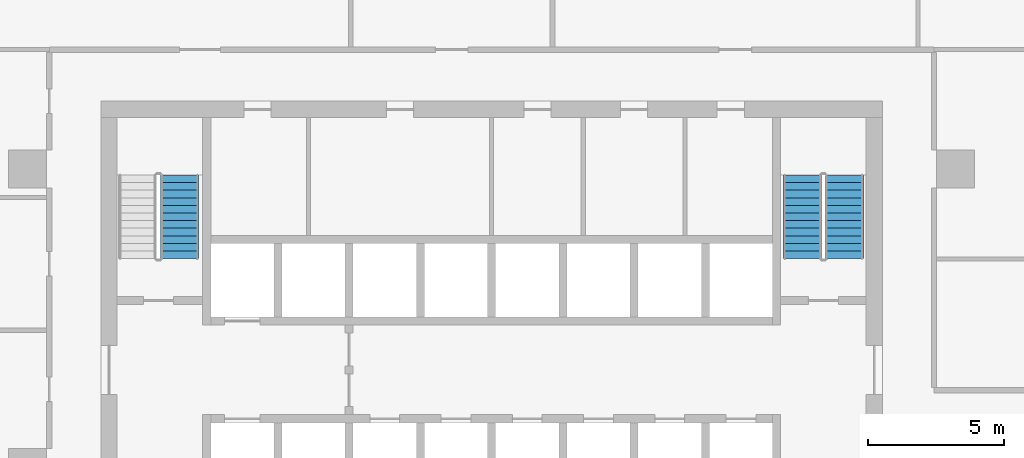
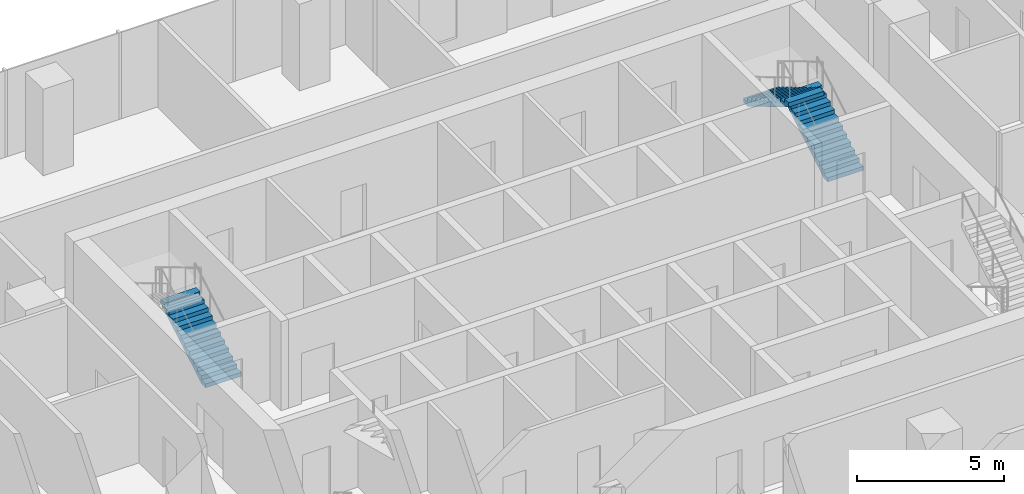
# One storey, part 11 of 14: 3 stair flights, 2 elements without a shape of their own.
"""IFC4 building model written with IfcOpenShell, lengths in metres."""

from ifc_helpers import new_model, si_unit, direction, frame, origin, place, context, subcontext, project, spatial, polyline, outline, extrude, material, type_object, element, aggregate, save


model = new_model("IFC4")

# Units and contexts
model_context = context("Model", 3, precision=1e-05, world=origin(), true_north=direction((0.0, 1.0)))
body_context = subcontext(model_context, "Body", "Model", "MODEL_VIEW")
ifc_project = project(units=[si_unit("LENGTHUNIT", "METRE"), si_unit("AREAUNIT", "SQUARE_METRE"), si_unit("VOLUMEUNIT", "CUBIC_METRE"), si_unit("PLANEANGLEUNIT", "RADIAN"), si_unit("MASSUNIT", "GRAM", prefix="KILO")], contexts=[model_context])

# Site, building, storey
site_placement = place(None, origin())
site = spatial("IfcSite", under=ifc_project, at=site_placement, CompositionType="ELEMENT")
building_placement = place(site_placement, origin())
building = spatial("IfcBuilding", under=site, at=building_placement, Name="Mopane Tessera Tower", CompositionType="ELEMENT")
storey_placement = place(building_placement, frame((0.0, 0.0, 189.0)))
storey = spatial("IfcBuildingStorey", under=building, at=storey_placement, Name="L39", CompositionType="ELEMENT", Elevation=189.0)

# Stair, stair flight
ifc_material_1 = material(Name="Concrete C50/60", Category="concrete")
stair_type = type_object("IfcStairType", Name="Escape stair 1400 mm, riser 167 mm", PredefinedType="HALF_TURN_STAIR", material=ifc_material_1)
stair_1_placement = place(storey_placement, origin())
stair_1 = element("IfcStair", 1, at=stair_1_placement, inside=storey, type_object=stair_type, Name="L39 Escape stair north-west", PredefinedType="HALF_TURN_STAIR")
ifc_material_2 = material(Name="Concrete C50/60", Category="concrete")
stair_flight_type = type_object("IfcStairFlightType", Name="Escape stair flight 1400 mm", PredefinedType="STRAIGHT", material=ifc_material_2)
stair_flight_1_placement = place(storey_placement, frame((-11.5, 7.699951171875, 0.0), z_axis=(0.0, 0.0, 1.0), x_axis=(0.0, 1.0, 0.0)))
stair_flight_1 = element("IfcStairFlight", 2, at=stair_flight_1_placement, type_object=stair_flight_type, Name="ST2 flight 1", NumberOfRisers=12, NumberOfTreads=11, PredefinedType="STRAIGHT", RiserHeight=0.166666667, TreadLength=0.28, context=body_context, shape_type="SweptSolid", body=[
    extrude(outline(polyline([(0.0, 0.0), (0.0, 0.166748046875), (0.280029296875, 0.166748046875), (0.280029296875, 0.333251953125), (0.56005859375, 0.333251953125), (0.56005859375, 0.5), (0.840087890625, 0.5), (0.840087890625, 0.666748046875), (1.1201171875, 0.666748046875), (1.1201171875, 0.833251953125), (1.39990234375, 0.833251953125), (1.39990234375, 1.0), (1.679931640625, 1.0), (1.679931640625, 1.166748046875), (1.9599609375, 1.166748046875), (1.9599609375, 1.333251953125), (2.239990234375, 1.333251953125), (2.239990234375, 1.5), (2.52001953125, 1.5), (2.52001953125, 1.666748046875), (2.800048828125, 1.666748046875), (2.800048828125, 1.833251953125), (3.080078125, 1.833251953125), (3.080078125, 2.0), (3.080078125, 1.658935546875), (0.29296875, 0.0), (0.0, 0.0)])), frame((0.0, 0.699951171875, 0.0), z_axis=(0.0, -1.0, 0.0), x_axis=(1.0, 0.0, 0.0)), (0.0, 0.0, 1.0), 1.39990234375),
])
aggregate(stair_1, [stair_flight_1])

# Stair, stair flights
stair_2_placement = place(storey_placement, origin())
stair_2 = element("IfcStair", 3, at=stair_2_placement, inside=storey, type_object=stair_type, Name="L39 Escape stair north-east", PredefinedType="HALF_TURN_STAIR")
stair_flight_2_placement = place(storey_placement, frame((13.0, 7.699951171875, 0.0), z_axis=(0.0, 0.0, 1.0), x_axis=(0.0, 1.0, 0.0)))
stair_flight_2 = element("IfcStairFlight", 4, at=stair_flight_2_placement, type_object=stair_flight_type, Name="ST4 flight 1", NumberOfRisers=12, NumberOfTreads=11, PredefinedType="STRAIGHT", RiserHeight=0.166666667, TreadLength=0.28, context=body_context, shape_type="SweptSolid", body=[
    extrude(outline(polyline([(0.0, 0.0), (0.0, 0.166748046875), (0.280029296875, 0.166748046875), (0.280029296875, 0.333251953125), (0.56005859375, 0.333251953125), (0.56005859375, 0.5), (0.840087890625, 0.5), (0.840087890625, 0.666748046875), (1.1201171875, 0.666748046875), (1.1201171875, 0.833251953125), (1.39990234375, 0.833251953125), (1.39990234375, 1.0), (1.679931640625, 1.0), (1.679931640625, 1.166748046875), (1.9599609375, 1.166748046875), (1.9599609375, 1.333251953125), (2.239990234375, 1.333251953125), (2.239990234375, 1.5), (2.52001953125, 1.5), (2.52001953125, 1.666748046875), (2.800048828125, 1.666748046875), (2.800048828125, 1.833251953125), (3.080078125, 1.833251953125), (3.080078125, 2.0), (3.080078125, 1.658935546875), (0.29296875, 0.0), (0.0, 0.0)])), frame((0.0, 0.699951171875, 0.0), z_axis=(0.0, -1.0, 0.0), x_axis=(1.0, 0.0, 0.0)), (0.0, 0.0, 1.0), 1.39990234375),
])
stair_flight_3_placement = place(storey_placement, frame((11.449951171875, 10.780029296875, 2.0), z_axis=(0.0, 0.0, 1.0), x_axis=(0.0, -1.0, 0.0)))
stair_flight_3 = element("IfcStairFlight", 5, at=stair_flight_3_placement, type_object=stair_flight_type, Name="ST4 flight 2", NumberOfRisers=12, NumberOfTreads=11, PredefinedType="STRAIGHT", RiserHeight=0.166666667, TreadLength=0.28, context=body_context, shape_type="SweptSolid", body=[
    extrude(outline(polyline([(0.0, 0.0), (0.0, 0.166748046875), (0.280029296875, 0.166748046875), (0.280029296875, 0.333251953125), (0.56005859375, 0.333251953125), (0.56005859375, 0.5), (0.840087890625, 0.5), (0.840087890625, 0.666748046875), (1.1201171875, 0.666748046875), (1.1201171875, 0.833251953125), (1.39990234375, 0.833251953125), (1.39990234375, 1.0), (1.679931640625, 1.0), (1.679931640625, 1.166748046875), (1.9599609375, 1.166748046875), (1.9599609375, 1.333251953125), (2.239990234375, 1.333251953125), (2.239990234375, 1.5), (2.52001953125, 1.5), (2.52001953125, 1.666748046875), (2.800048828125, 1.666748046875), (2.800048828125, 1.833251953125), (3.080078125, 1.833251953125), (3.080078125, 2.0), (3.080078125, 1.658935546875), (0.29296875, 0.0), (0.0, 0.0)])), frame((0.0, 0.699951171875, 0.0), z_axis=(0.0, -1.0, 0.0), x_axis=(1.0, 0.0, 0.0)), (0.0, 0.0, 1.0), 1.39990234375),
])
aggregate(stair_2, [stair_flight_2, stair_flight_3])

save(model, "model.ifc")
